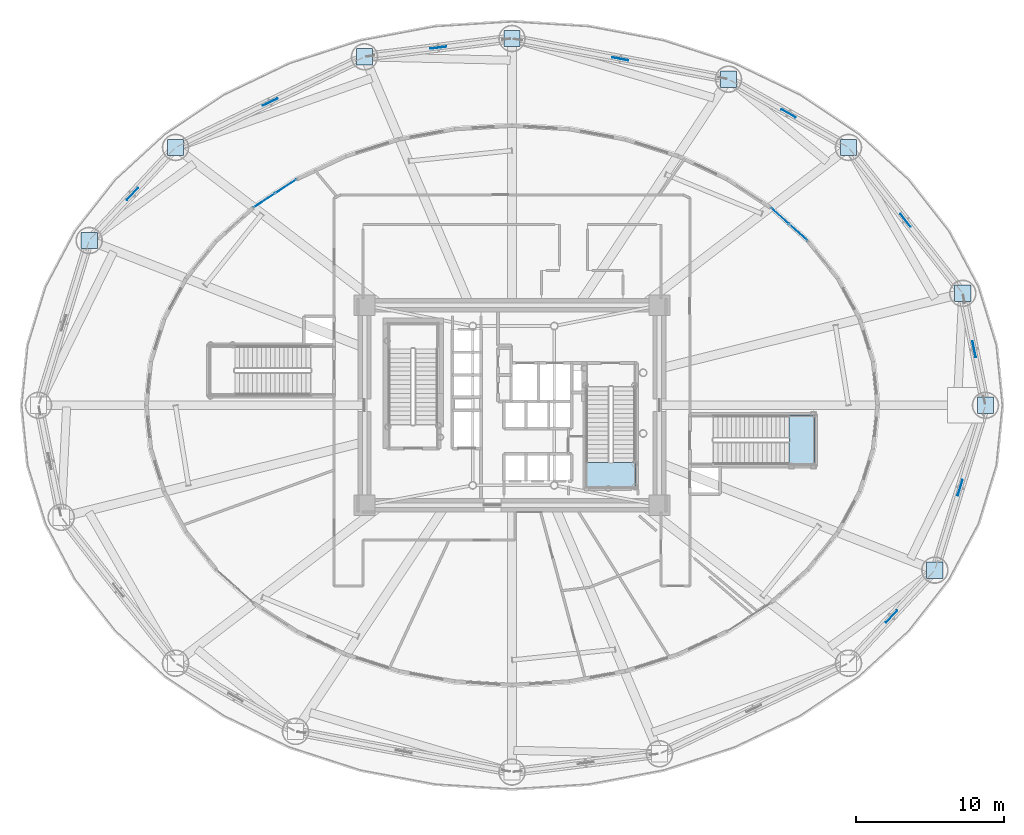
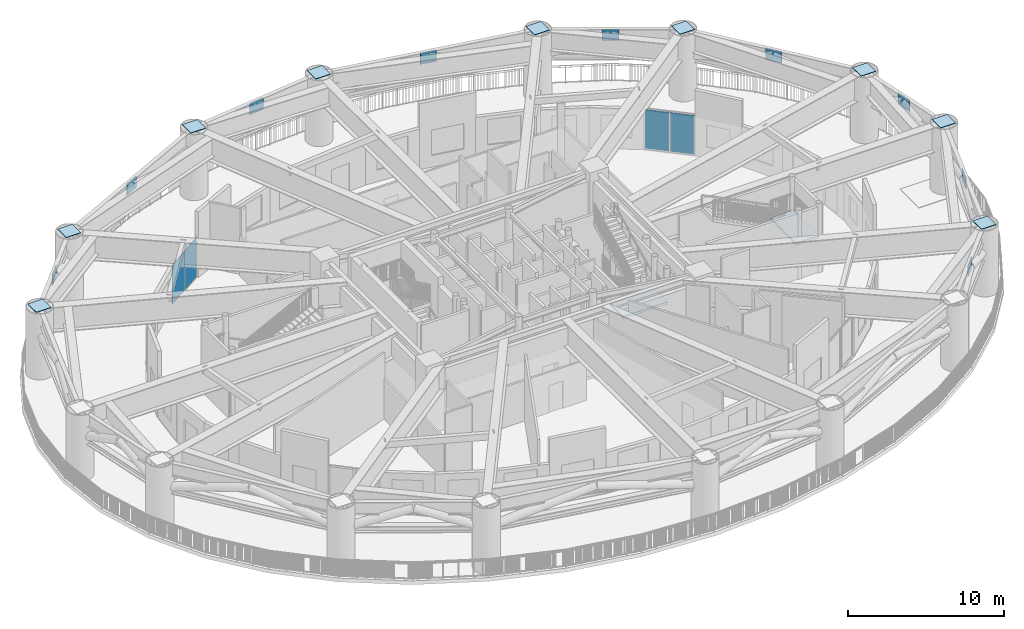
# One storey, part 17 of 39: 22 plates, 2 slabs, 4 elements without a shape of their own.
"""IFC4 building model written with IfcOpenShell, lengths in metres."""

import ifcopenshell
import ifcopenshell.guid

model = None  # the IFC model being written
_history = None  # IfcOwnerHistory: only IFC2X3 demands one
_inside = {}  # id of a spatial element -> (the spatial element, [elements in it])
_under = {}  # id of a project, library or spatial element -> (it, [spatial elements below it])
_declared = {}  # id of a project -> (the project, [libraries it declares])
_typed = {}  # id of a type object -> (the type object, [elements of that type])
_made_of = {}  # id of a material, layer set ... -> (it, [elements and type objects made of it])


def new_model(schema):
    """Start an empty IFC model of exactly this schema.

    Asked for "IFC4X3", IfcOpenShell would pick the latest addendum, in which some entities
    have other attributes; the version numbers below select the first issue.
    IFC2X3 requires an IfcOwnerHistory on every rooted entity: one is made here for all.
    """
    global model, _history
    if schema == "IFC4X3":
        model = ifcopenshell.file(schema_version=(4, 3, 0, 0))
    else:
        model = ifcopenshell.file(schema=schema)
    _inside.clear()
    _under.clear()
    _declared.clear()
    _typed.clear()
    _made_of.clear()
    _history = None
    if model.schema == "IFC2X3":
        org = make("IfcOrganization", Name="unknown")
        user = make(
            "IfcPersonAndOrganization",
            ThePerson=make("IfcPerson", FamilyName="unknown"),
            TheOrganization=org,
        )
        app = make(
            "IfcApplication",
            ApplicationDeveloper=org,
            Version="unknown",
            ApplicationFullName="unknown",
            ApplicationIdentifier="unknown",
        )
        _history = make(
            "IfcOwnerHistory",
            OwningUser=user,
            OwningApplication=app,
            ChangeAction="ADDED",
            CreationDate=0,
        )
    return model


def make(cls, **values):
    """One entity of the class cls with the attributes given. An attribute that is None is left unset."""
    return model.create_entity(
        cls, **{name: value for name, value in values.items() if value is not None}
    )


def rooted(cls, **values):
    """An entity with a GlobalId (a new one), such as an element, a storey or a relation."""
    return make(cls, GlobalId=ifcopenshell.guid.new(), OwnerHistory=_history, **values)


def si_unit(unit_type, name, prefix=None):
    """IfcSIUnit, for example si_unit("LENGTHUNIT", "METRE", prefix="MILLI")."""
    return make("IfcSIUnit", UnitType=unit_type, Prefix=prefix, Name=name)


def assignment(units):
    """IfcUnitAssignment: the units of a project."""
    return None if units is None else make("IfcUnitAssignment", Units=units)


def point(xyz):
    """IfcCartesianPoint."""
    return None if xyz is None else make("IfcCartesianPoint", Coordinates=xyz)


def direction(xyz):
    """IfcDirection."""
    return None if xyz is None else make("IfcDirection", DirectionRatios=xyz)


def frame(location, z_axis=None, x_axis=None):
    """IfcAxis2Placement3D, a coordinate frame: its origin and axes. An axis left out is left unset."""
    return make(
        "IfcAxis2Placement3D",
        Location=point(location),
        Axis=direction(z_axis),
        RefDirection=direction(x_axis),
    )


def frame_2d(location, x_axis=None):
    """IfcAxis2Placement2D, a coordinate frame in the plane: its origin and x axis."""
    return make(
        "IfcAxis2Placement2D", Location=point(location), RefDirection=direction(x_axis)
    )


def origin():
    """The frame at (0, 0, 0) with its axes left unset."""
    return frame((0.0, 0.0, 0.0))


def origin_2d():
    """The frame at (0, 0) in the plane with its x axis left unset."""
    return frame_2d((0.0, 0.0))


def place(relative_to, where):
    """IfcLocalPlacement: puts the frame where relative to a parent placement (None: the world)."""
    return make(
        "IfcLocalPlacement", PlacementRelTo=relative_to, RelativePlacement=where
    )


def context(
    kind, dimensions, precision=None, world=None, true_north=None, identifier=None
):
    """IfcGeometricRepresentationContext, for example the 3D "Model" context."""
    return make(
        "IfcGeometricRepresentationContext",
        ContextIdentifier=identifier,
        ContextType=kind,
        CoordinateSpaceDimension=dimensions,
        Precision=precision,
        WorldCoordinateSystem=world,
        TrueNorth=true_north,
    )


def subcontext(parent, identifier, kind, view, scale=None):
    """IfcGeometricRepresentationSubContext, for example "Body" below "Model"."""
    return make(
        "IfcGeometricRepresentationSubContext",
        ContextIdentifier=identifier,
        ContextType=kind,
        ParentContext=parent,
        TargetScale=scale,
        TargetView=view,
    )


def project(units=None, contexts=None):
    """IfcProject with its units and contexts."""
    return rooted(
        "IfcProject",
        Name="project",
        RepresentationContexts=contexts,
        UnitsInContext=assignment(units),
    )


def spatial(cls, under=None, at=None, **own):
    """A site, building, storey or space (cls), placed at a placement, below another one or the project."""
    s = rooted(cls, ObjectPlacement=at, **own)
    if under is not None:
        _under.setdefault(under.id(), (under, []))[1].append(s)
    return s


def polyline(points):
    """IfcPolyline through the points."""
    return make("IfcPolyline", Points=[point(p) for p in points])


def profile(cls, at=None, kind="AREA", **sizes):
    """A parametric profile (cls). Its sizes go by their IFC names, for example OverallWidth=200.0."""
    return make(cls, ProfileType=kind, Position=at, **sizes)


def rectangle(**sizes):
    """IfcRectangleProfileDef."""
    return profile("IfcRectangleProfileDef", **sizes)


def outline(outer, holes=None, kind="AREA"):
    """IfcArbitraryClosedProfileDef: a profile drawn as a closed curve; with holes, ...WithVoids."""
    if holes is None:
        return make("IfcArbitraryClosedProfileDef", ProfileType=kind, OuterCurve=outer)
    return make(
        "IfcArbitraryProfileDefWithVoids",
        ProfileType=kind,
        OuterCurve=outer,
        InnerCurves=holes,
    )


def extrude(swept, where, along, depth):
    """IfcExtrudedAreaSolid: the profile swept, set in the frame where, extruded along a direction by depth."""
    return make(
        "IfcExtrudedAreaSolid",
        SweptArea=swept,
        Position=where,
        ExtrudedDirection=direction(along),
        Depth=depth,
    )


def shape(context_of_items, identifier, shape_type, items):
    """IfcShapeRepresentation: the items that make up one representation, for example the "Body"."""
    return make(
        "IfcShapeRepresentation",
        ContextOfItems=context_of_items,
        RepresentationIdentifier=identifier,
        RepresentationType=shape_type,
        Items=items,
    )


def source(mapping_origin, context_of_items, identifier, shape_type, items):
    """IfcRepresentationMap: a shape defined once, which mapped items show again and again."""
    return make(
        "IfcRepresentationMap",
        MappingOrigin=mapping_origin,
        MappedRepresentation=shape(context_of_items, identifier, shape_type, items),
    )


def transform(
    local_origin,
    x_axis=None,
    y_axis=None,
    z_axis=None,
    scale=None,
    scale2=None,
    scale3=None,
    uniform=True,
):
    """IfcCartesianTransformationOperator3D, or its non-uniform kind. x_axis, y_axis, z_axis: its Axis1, 2, 3."""
    if uniform:
        return make(
            "IfcCartesianTransformationOperator3D",
            Axis1=direction(x_axis),
            Axis2=direction(y_axis),
            LocalOrigin=point(local_origin),
            Scale=scale,
            Axis3=direction(z_axis),
        )
    return make(
        "IfcCartesianTransformationOperator3DnonUniform",
        Axis1=direction(x_axis),
        Axis2=direction(y_axis),
        LocalOrigin=point(local_origin),
        Scale=scale,
        Axis3=direction(z_axis),
        Scale2=scale2,
        Scale3=scale3,
    )


def mapped(mapping_source, mapping_target):
    """IfcMappedItem: shows the shape of a source again, moved by a transform."""
    return make(
        "IfcMappedItem", MappingSource=mapping_source, MappingTarget=mapping_target
    )


def material(Name=None, Category=None):
    """IfcMaterial."""
    return make("IfcMaterial", Name=Name, Category=Category)


def layer(
    of_material, thickness, ventilated=None, Name=None, Category=None, Priority=None
):
    """IfcMaterialLayer: one layer of a wall or slab, of a material (None: an air gap)."""
    return make(
        "IfcMaterialLayer",
        Material=of_material,
        LayerThickness=thickness,
        IsVentilated=ventilated,
        Name=Name,
        Category=Category,
        Priority=Priority,
    )


def layer_set(layers, Name=None):
    """IfcMaterialLayerSet."""
    return make("IfcMaterialLayerSet", MaterialLayers=layers, LayerSetName=Name)


def made_of(thing, what):
    """Note that an element or type object is made of a material, layer set ...; save() writes the relation."""
    if what is not None:
        _made_of.setdefault(what.id(), (what, []))[1].append(thing)
    return thing


def type_object(cls, material=None, **own):
    """A type object (cls), such as IfcWallType, which elements share."""
    return made_of(rooted(cls, **own), material)


def element(
    cls,
    number,
    at=None,
    inside=None,
    cuts=None,
    type_object=None,
    material=None,
    context=None,
    identifier="Body",
    shape_type=None,
    held_by="IfcProductDefinitionShape",
    body=None,
    shapes=None,
    **own,
):
    """One element of the class cls, such as IfcWall. Its Tag is "e" and its number.

    at: its placement. inside: the storey or other place that contains it. cuts: it is an
    opening in that element (IfcRelVoidsElement). A single representation is given by context,
    identifier, shape_type and body (its items); several are given by shapes. held_by: the class
    of the entity that holds the representations. save() writes the other relations.
    """
    e = rooted(cls, Tag="e%d" % number, ObjectPlacement=at, **own)
    if body is not None:
        shapes = [shape(context, identifier, shape_type, body)]
    if shapes is not None:
        e.Representation = make(held_by, Representations=shapes)
    if inside is not None:
        _inside.setdefault(inside.id(), (inside, []))[1].append(e)
    if cuts is not None:
        rooted(
            "IfcRelVoidsElement", RelatingBuildingElement=cuts, RelatedOpeningElement=e
        )
    if type_object is not None:
        _typed.setdefault(type_object.id(), (type_object, []))[1].append(e)
    return made_of(e, material)


def aggregate(whole, parts):
    """IfcRelAggregates: a whole, such as a stair, and the parts it consists of."""
    return rooted("IfcRelAggregates", RelatingObject=whole, RelatedObjects=parts)


def save(model, path):
    """Write the relations noted so far, then the file.

    IfcRelAggregates (storeys below a building ...), IfcRelContainedInSpatialStructure (elements
    in a storey), IfcRelDefinesByType, IfcRelAssociatesMaterial and IfcRelDeclares: one each for
    every whole, place, type object, material and project.
    """
    for whole, parts in _under.values():
        aggregate(whole, parts)
    for where, things in _inside.values():
        rooted(
            "IfcRelContainedInSpatialStructure",
            RelatedElements=things,
            RelatingStructure=where,
        )
    for kind, things in _typed.values():
        rooted("IfcRelDefinesByType", RelatedObjects=things, RelatingType=kind)
    for what, things in _made_of.values():
        rooted("IfcRelAssociatesMaterial", RelatedObjects=things, RelatingMaterial=what)
    for by, libraries in _declared.values():
        rooted("IfcRelDeclares", RelatingContext=by, RelatedDefinitions=libraries)
    model.write(path)


model = new_model("IFC4")

# Units and contexts
model_context = context("Model", 3, precision=1e-05, world=origin(), true_north=direction((0.0, 1.0)))
body_context = subcontext(model_context, "Body", "Model", "MODEL_VIEW")
ifc_project = project(units=[si_unit("LENGTHUNIT", "METRE"), si_unit("AREAUNIT", "SQUARE_METRE"), si_unit("VOLUMEUNIT", "CUBIC_METRE"), si_unit("PLANEANGLEUNIT", "RADIAN"), si_unit("MASSUNIT", "GRAM", prefix="KILO")], contexts=[model_context])

# Site, building, storey
site_placement = place(None, origin())
site = spatial("IfcSite", under=ifc_project, at=site_placement, CompositionType="ELEMENT")
building_placement = place(site_placement, origin())
building = spatial("IfcBuilding", under=site, at=building_placement, Name="Linh Dai School and Residence Tower", CompositionType="ELEMENT")
storey_placement = place(building_placement, frame((0.0, 0.0, 27.0)))
storey = spatial("IfcBuildingStorey", under=building, at=storey_placement, Name="L06", CompositionType="ELEMENT", Elevation=27.0)

# Stair, slab
ifc_material_1 = material(Name="Concrete B45 (C35/45)", Category="concrete")
stair_type = type_object("IfcStairType", Name="ST-DOG-1550-R1500", PredefinedType="HALF_TURN_STAIR", material=ifc_material_1)
stair_1_placement = place(storey_placement, origin())
stair_1 = element("IfcStair", 1, at=stair_1_placement, inside=storey, type_object=stair_type, Name="L06 Core Smokeproof Exit Stair ST2", PredefinedType="HALF_TURN_STAIR")
ifc_layer_1 = layer(ifc_material_1, 0.199951171875)
ifc_layer_set_1 = layer_set([ifc_layer_1], Name="Concrete B45 (C35/45)")
slab_type = type_object("IfcSlabType", Name="SLB-ST-LANDING-200", PredefinedType="LANDING", material=ifc_layer_set_1)
slab_1_placement = place(storey_placement, frame((0.0, 0.0, 2.5)))
slab_1 = element("IfcSlab", 2, at=slab_1_placement, type_object=slab_type, Name="ST2 landing 1", PredefinedType="LANDING", context=body_context, shape_type="SweptSolid", body=[
    extrude(outline(polyline([(41.02001953125, 23.14990234375), (41.02001953125, 21.449951171875), (44.320068359375, 21.449951171875), (44.320068359375, 23.14990234375), (41.02001953125, 23.14990234375)])), origin(), (0.0, 0.0, 1.0), 0.199951171875),
])
aggregate(stair_1, [slab_1])

stair_2_placement = place(storey_placement, origin())
stair_2 = element("IfcStair", 3, at=stair_2_placement, inside=storey, type_object=stair_type, Name="L06 School Exit Stair STS2", PredefinedType="HALF_TURN_STAIR")
slab_2_placement = place(storey_placement, frame((0.0, 0.0, 2.5)))
slab_2 = element("IfcSlab", 4, at=slab_2_placement, type_object=slab_type, Name="STS2 landing 1", PredefinedType="LANDING", context=body_context, shape_type="SweptSolid", body=[
    extrude(outline(polyline([(54.699951171875, 23.0), (56.39990234375, 23.0), (56.39990234375, 26.300048828125), (54.699951171875, 26.300048828125), (54.699951171875, 23.0)])), origin(), (0.0, 0.0, 1.0), 0.199951171875),
])
aggregate(stair_2, [slab_2])

# Plates
ifc_material_2 = material(Name="Structural Steel S355JR", Category="steel")
ifc_layer_2 = layer(ifc_material_2, 0.0400390625)
ifc_layer_set_2 = layer_set([ifc_layer_2], Name="Structural Steel S355JR")
plate_type_1 = type_object("IfcPlateType", Name="PLT-GP1", PredefinedType="USERDEFINED", material=ifc_layer_set_2)
shared_shape_1 = source(origin(), body_context, "Body", "SweptSolid", [
    extrude(rectangle(XDim=1.10009765625, YDim=1.10009765625, at=origin_2d()), origin(), (0.0, 0.0, 1.0), 0.0400390625),
])
for number, where, z_axis, x_axis, name in (
    (5, (67.949951171875, 27.0, 5.14990234375), (0.0, 0.0, 1.0), (1.0, 0.0, 0.0), "L06 MC01 Column Cap Plate"),
    (6, (66.42041015625, 34.555419921875, 5.14990234375), (0.0, 0.0, 1.0), (1.0, 0.0, 0.0), "L06 MC02 Column Cap Plate"),
    (7, (58.705322265625, 44.400634765625, 5.14990234375), (0.0, 0.0, 1.0), (1.0, 0.0, 0.0), "L06 MC03 Column Cap Plate"),
    (8, (50.609130859375, 49.005126953125, 5.14990234375), (0.0, 0.0, 1.0), (1.0, 0.0, 0.0), "L06 MC04 Column Cap Plate"),
    (9, (36.0, 51.75, 5.14990234375), (0.0, 0.0, 1.0), (1.0, 0.0, 0.0), "L06 MC05 Column Cap Plate"),
    (10, (26.048828125, 50.51611328125, 5.14990234375), (0.0, 0.0, 1.0), (1.0, 0.0, 0.0), "L06 MC06 Column Cap Plate"),
    (11, (13.294677734375, 44.400634765625, 5.14990234375), (0.0, 0.0, 1.0), (1.0, 0.0, 0.0), "L06 MC07 Column Cap Plate"),
    (12, (7.46630859375, 38.1220703125, 5.14990234375), (0.0, 0.0, 1.0), (1.0, 0.0, 0.0), "L06 MC08 Column Cap Plate"),
    (13, (64.53369140625, 15.8779296875, 5.14990234375), (0.0, 0.0, 1.0), (1.0, 0.0, 0.0), "L06 MC16 Column Cap Plate"),
):
    element("IfcPlate", number, at=place(storey_placement, frame(where, z_axis=z_axis, x_axis=x_axis)), inside=storey, type_object=plate_type_1, Name=name, ObjectType="GUSSET PLATE", PredefinedType="USERDEFINED", context=body_context, shape_type="MappedRepresentation", body=[
        mapped(shared_shape_1, transform((0.0, 0.0, 0.0), x_axis=(1.0, 0.0, 0.0), y_axis=(0.0, 1.0, 0.0), z_axis=(0.0, 0.0, 1.0), scale=1.0)),
    ])
shared_shape_2 = source(origin(), body_context, "Body", "SweptSolid", [
    extrude(rectangle(XDim=1.10009765625, YDim=0.0400390625, at=origin_2d()), origin(), (0.0, 0.0, 1.0), 0.89990234375),
])
for number, where, z_axis, x_axis, name in (
    (14, (67.185302734375, 30.777587890625, 4.199951171875), (0.0, 0.0, 1.0), (-0.198412111619, 0.980118683611, 0.0), "L06 Belt Truss BT1 Node Gusset Plate 01"),
    (15, (62.56298828125, 39.47802734375, 4.199951171875), (0.0, 0.0, 1.0), (-0.616818943484, 0.787105069834, 0.0), "L06 Belt Truss BT1 Node Gusset Plate 02"),
    (16, (54.6572265625, 46.702880859375, 4.199951171875), (0.0, 0.0, 1.0), (-0.869247655355, 0.494376894343, 0.0), "L06 Belt Truss BT1 Node Gusset Plate 03"),
    (17, (43.3046875, 50.377685546875, 4.199951171875), (0.0, 0.0, 1.0), (-0.982804039989, 0.184651615161, 0.0), "L06 Belt Truss BT1 Node Gusset Plate 04"),
    (18, (31.0244140625, 51.133056640625, 4.199951171875), (0.0, 0.0, 1.0), (-0.992399666572, -0.123056498355, 0.0), "L06 Belt Truss BT1 Node Gusset Plate 05"),
    (19, (19.671875, 47.458251953125, 4.199951171875), (0.0, 0.0, 1.0), (-0.901703676692, -0.43235457606, 0.0), "L06 Belt Truss BT1 Node Gusset Plate 06"),
    (20, (10.380615234375, 41.26123046875, 4.199951171875), (0.0, 0.0, 1.0), (-0.680344757042, -0.732892223704, 0.0), "L06 Belt Truss BT1 Node Gusset Plate 07"),
    (21, (61.619384765625, 12.73876953125, 4.199951171875), (0.0, 0.0, 1.0), (0.680344757042, 0.732892223704, 0.0), "L06 Belt Truss BT1 Node Gusset Plate 15"),
    (22, (66.241943359375, 21.43896484375, 4.199951171875), (0.0, 0.0, 1.0), (0.293627886797, 0.955919800033, 0.0), "L06 Belt Truss BT1 Node Gusset Plate 16"),
):
    element("IfcPlate", number, at=place(storey_placement, frame(where, z_axis=z_axis, x_axis=x_axis)), inside=storey, type_object=plate_type_1, Name=name, ObjectType="GUSSET PLATE", PredefinedType="USERDEFINED", context=body_context, shape_type="MappedRepresentation", body=[
        mapped(shared_shape_2, transform((0.0, 0.0, 0.0), x_axis=(1.0, 0.0, 0.0), y_axis=(0.0, 1.0, 0.0), z_axis=(0.0, 0.0, 1.0), scale=1.0)),
    ])

# Curtain wall, plates
ifc_material_3 = material(Name="Aluminium Anodised Curtain Wall", Category="aluminium")
ifc_layer_3 = layer(ifc_material_3, 0.169921875)
ifc_layer_set_3 = layer_set([ifc_layer_3], Name="Aluminium Anodised Curtain Wall")
curtain_wall_type = type_object("IfcCurtainWallType", Name="CW-SYS-2", PredefinedType="USERDEFINED", material=ifc_layer_set_3)
curtain_wall_1_placement = place(storey_placement, origin())
curtain_wall_1 = element("IfcCurtainWall", 23, at=curtain_wall_1_placement, inside=storey, type_object=curtain_wall_type, Name="L06 CW2 Curtain Wall 05", ObjectType="UNITISED CURTAIN WALL", PredefinedType="USERDEFINED")
ifc_material_4 = material(Name="Double Low-E Insulated Glazing", Category="glass")
ifc_layer_4 = layer(ifc_material_4, 0.030029296875)
ifc_layer_set_4 = layer_set([ifc_layer_4], Name="Double Low-E Insulated Glazing")
plate_type_2 = type_object("IfcPlateType", Name="CW-SYS-2-PAN", PredefinedType="CURTAIN_PANEL", material=ifc_layer_set_4)
shared_shape_3 = source(origin(), body_context, "Body", "SweptSolid", [
    extrude(rectangle(XDim=1.59765625, YDim=0.030029296875, at=origin_2d()), origin(), (0.0, 0.0, 1.0), 3.06494140625),
])
plate_1_placement = place(storey_placement, frame((54.099609375, 39.76220703125, 0.06005859375), z_axis=(0.0, 0.0, 1.0), x_axis=(0.744402517349, -0.667731152609, 0.0)))
plate_1 = element("IfcPlate", 24, at=plate_1_placement, type_object=plate_type_2, Name="CW2 panel 1.1", PredefinedType="CURTAIN_PANEL", context=body_context, shape_type="MappedRepresentation", body=[
    mapped(shared_shape_3, transform((0.0, 0.0, 0.0), x_axis=(1.0, 0.0, 0.0), y_axis=(0.0, 1.0, 0.0), z_axis=(0.0, 0.0, 1.0), scale=1.0)),
])
plate_2_placement = place(storey_placement, frame((55.33349609375, 38.655517578125, 0.06005859375), z_axis=(0.0, 0.0, 1.0), x_axis=(0.744402517349, -0.667731152609, 0.0)))
plate_2 = element("IfcPlate", 25, at=plate_2_placement, type_object=plate_type_2, Name="CW2 panel 2.1", PredefinedType="CURTAIN_PANEL", context=body_context, shape_type="MappedRepresentation", body=[
    mapped(shared_shape_3, transform((0.0, 0.0, 0.0), x_axis=(1.0, 0.0, 0.0), y_axis=(0.0, 1.0, 0.0), z_axis=(0.0, 0.0, 1.0), scale=1.0)),
])
aggregate(curtain_wall_1, [plate_1, plate_2])

curtain_wall_2_placement = place(storey_placement, origin())
curtain_wall_2 = element("IfcCurtainWall", 26, at=curtain_wall_2_placement, inside=storey, type_object=curtain_wall_type, Name="L06 CW2 Curtain Wall 15", ObjectType="UNITISED CURTAIN WALL", PredefinedType="USERDEFINED")
shared_shape_4 = source(origin(), body_context, "Body", "SweptSolid", [
    extrude(rectangle(XDim=1.669189453125, YDim=0.030029296875, at=origin_2d()), origin(), (0.0, 0.0, 1.0), 3.06494140625),
])
plate_3_placement = place(storey_placement, frame((19.288330078125, 40.82568359375, 0.06005859375), z_axis=(0.0, 0.0, 1.0), x_axis=(0.836786048523, 0.547530007395, 0.0)))
plate_3 = element("IfcPlate", 27, at=plate_3_placement, type_object=plate_type_2, Name="CW2 panel 1.1", PredefinedType="CURTAIN_PANEL", context=body_context, shape_type="MappedRepresentation", body=[
    mapped(shared_shape_4, transform((0.0, 0.0, 0.0), x_axis=(1.0, 0.0, 0.0), y_axis=(0.0, 1.0, 0.0), z_axis=(0.0, 0.0, 1.0), scale=1.0)),
])
plate_4_placement = place(storey_placement, frame((20.735107421875, 41.772216796875, 0.06005859375), z_axis=(0.0, 0.0, 1.0), x_axis=(0.836786048523, 0.547530007395, 0.0)))
plate_4 = element("IfcPlate", 28, at=plate_4_placement, type_object=plate_type_2, Name="CW2 panel 2.1", PredefinedType="CURTAIN_PANEL", context=body_context, shape_type="MappedRepresentation", body=[
    mapped(shared_shape_4, transform((0.0, 0.0, 0.0), x_axis=(1.0, 0.0, 0.0), y_axis=(0.0, 1.0, 0.0), z_axis=(0.0, 0.0, 1.0), scale=1.0)),
])
aggregate(curtain_wall_2, [plate_3, plate_4])

save(model, "model.ifc")
